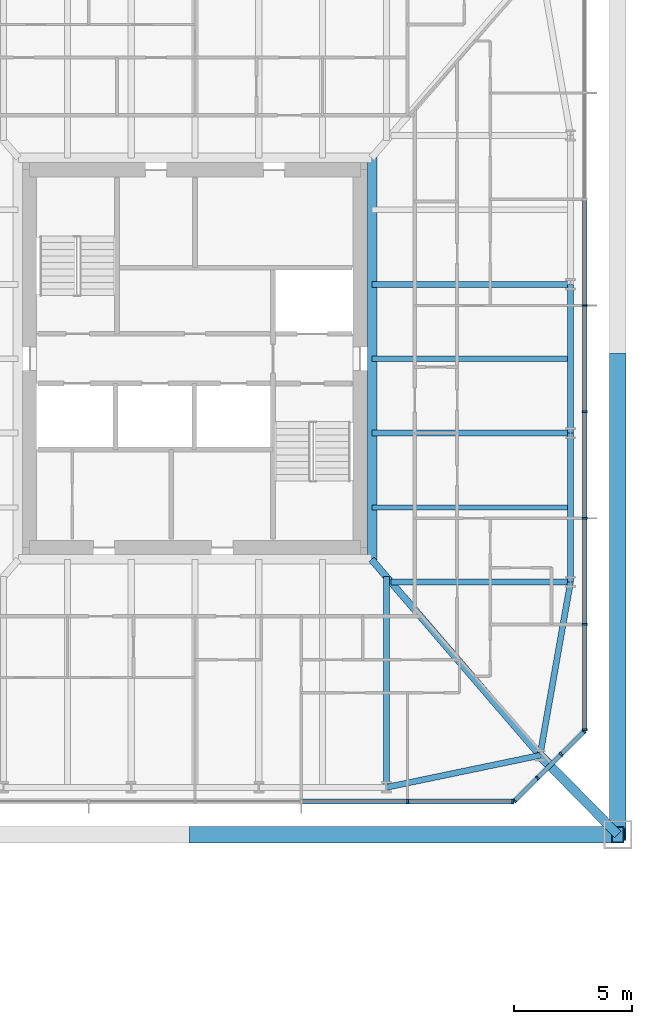
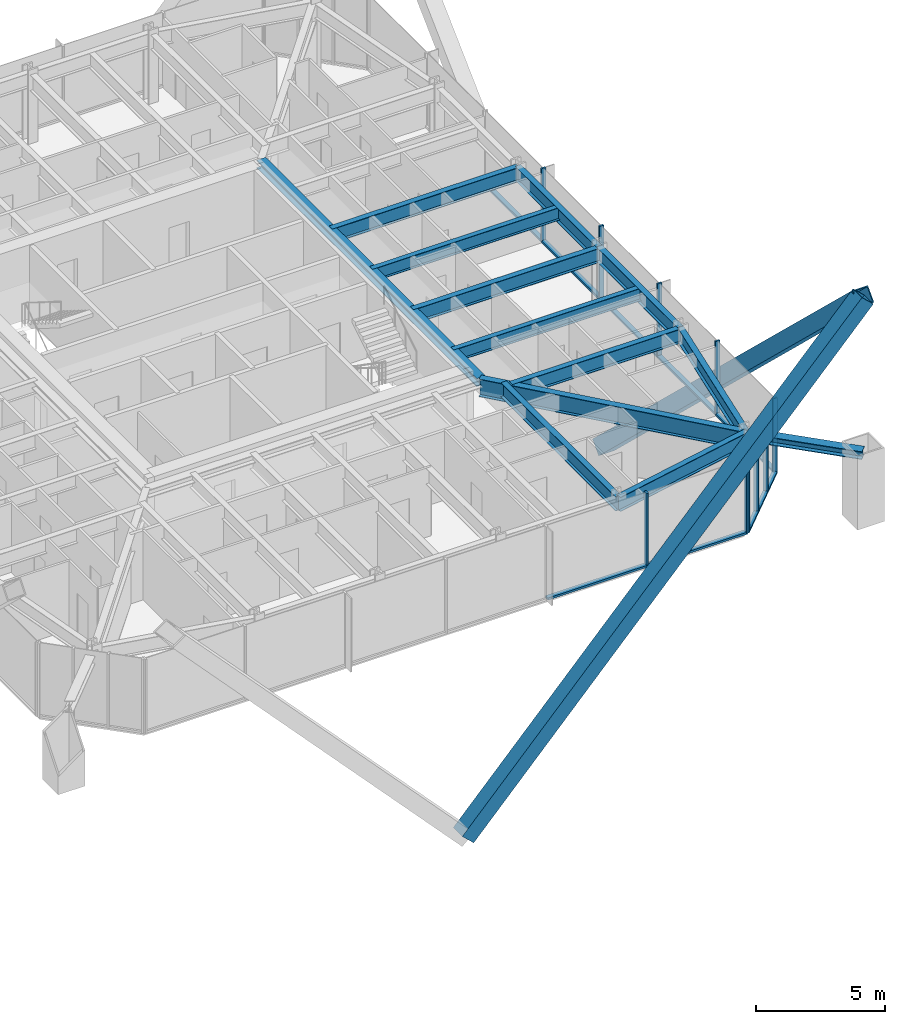
# One storey, part 11 of 28: 24 members, 12 beams, 3 elements without a shape of their own.
"""IFC4 building model written with IfcOpenShell, lengths in metres."""

from ifc_helpers import new_model, si_unit, direction, frame, origin, origin_2d, place, context, subcontext, project, spatial, rectangle, hollow_rectangle, i_section, extrude, material, material_profile, profile_set, type_object, element, aggregate, save


model = new_model("IFC4")

# Units and contexts
model_context = context("Model", 3, precision=1e-05, world=origin(), true_north=direction((0.0, 1.0)))
body_context = subcontext(model_context, "Body", "Model", "MODEL_VIEW")
ifc_project = project(units=[si_unit("LENGTHUNIT", "METRE"), si_unit("AREAUNIT", "SQUARE_METRE"), si_unit("VOLUMEUNIT", "CUBIC_METRE"), si_unit("PLANEANGLEUNIT", "RADIAN"), si_unit("MASSUNIT", "GRAM", prefix="KILO")], contexts=[model_context])

# Site, building, storey
site_placement = place(None, origin())
site = spatial("IfcSite", under=ifc_project, at=site_placement, CompositionType="ELEMENT")
building_placement = place(site_placement, origin())
building = spatial("IfcBuilding", under=site, at=building_placement, Name="Iwan Alto Co-Living Towers", CompositionType="ELEMENT")
storey_placement = place(building_placement, frame((0.0, 0.0, 64.0)))
storey = spatial("IfcBuildingStorey", under=building, at=storey_placement, Name="L17", CompositionType="ELEMENT", Elevation=64.0)

# Curtain wall, members
ifc_material_1 = material(Name="Bronze aluminium unitised frame", Category="aluminium")
curtain_wall_type_1 = type_object("IfcCurtainWallType", Name="CURTAIN WALL CW-C", PredefinedType="NOTDEFINED", material=ifc_material_1)
curtain_wall_1_placement = place(storey_placement, origin())
curtain_wall_1 = element("IfcCurtainWall", 1, at=curtain_wall_1_placement, inside=storey, type_object=curtain_wall_type_1, Name="T2 curtain wall S L17", PredefinedType="NOTDEFINED")
ifc_material_2 = material(Name="Aluminium 6063-T6 bronze anodised", Category="aluminium")
ifc_material_profile_1 = material_profile(ifc_material_2, rectangle(XDim=0.199951171875, YDim=0.080078125, at=origin_2d()), Name="AL 80X200")
ifc_profile_set_1 = profile_set([ifc_material_profile_1], Name="Aluminium 6063-T6 bronze anodised")
member_type_1 = type_object("IfcMemberType", Name="CW-C MULLION 80X200", PredefinedType="MULLION", material=ifc_profile_set_1)
member_1_placement = place(storey_placement, frame((72.0, -18.75, 0.0), z_axis=(0.0, 0.0, 1.0), x_axis=(0.0, 1.0, 0.0)))
member_1 = element("IfcMember", 2, at=member_1_placement, type_object=member_type_1, Name="CW-C mullion 6", PredefinedType="MULLION", context=body_context, shape_type="SweptSolid", body=[
    extrude(rectangle(XDim=0.199951171875, YDim=0.080078125, at=origin_2d()), origin(), (0.0, 0.0, 1.0), 3.5),
])
member_2_placement = place(storey_placement, frame((76.4599609375, -18.75, 0.0), z_axis=(0.0, 0.0, 1.0), x_axis=(0.0, 1.0, 0.0)))
member_2 = element("IfcMember", 3, at=member_2_placement, type_object=member_type_1, Name="CW-C mullion 7", PredefinedType="MULLION", context=body_context, shape_type="SweptSolid", body=[
    extrude(rectangle(XDim=0.199951171875, YDim=0.080078125, at=origin_2d()), origin(), (0.0, 0.0, 1.0), 3.5),
])

curtain_wall_2_placement = place(storey_placement, origin())
curtain_wall_2 = element("IfcCurtainWall", 4, at=curtain_wall_2_placement, inside=storey, type_object=curtain_wall_type_1, Name="T2 curtain wall E L17", PredefinedType="NOTDEFINED")
member_3_placement = place(storey_placement, frame((79.5, -15.7099609375, 0.0), z_axis=(0.0, 0.0, 1.0), x_axis=(-1.0, 0.0, 0.0)))
member_3 = element("IfcMember", 5, at=member_3_placement, type_object=member_type_1, Name="CW-C mullion 1", PredefinedType="MULLION", context=body_context, shape_type="SweptSolid", body=[
    extrude(rectangle(XDim=0.199951171875, YDim=0.080078125, at=origin_2d()), origin(), (0.0, 0.0, 1.0), 3.5),
])
member_4_placement = place(storey_placement, frame((79.5, -11.25, 0.0), z_axis=(0.0, 0.0, 1.0), x_axis=(-1.0, 0.0, 0.0)))
member_4 = element("IfcMember", 6, at=member_4_placement, type_object=member_type_1, Name="CW-C mullion 2", PredefinedType="MULLION", context=body_context, shape_type="SweptSolid", body=[
    extrude(rectangle(XDim=0.199951171875, YDim=0.080078125, at=origin_2d()), origin(), (0.0, 0.0, 1.0), 3.5),
])
member_5_placement = place(storey_placement, frame((79.5, -6.75, 0.0), z_axis=(0.0, 0.0, 1.0), x_axis=(-1.0, 0.0, 0.0)))
member_5 = element("IfcMember", 7, at=member_5_placement, type_object=member_type_1, Name="CW-C mullion 3", PredefinedType="MULLION", context=body_context, shape_type="SweptSolid", body=[
    extrude(rectangle(XDim=0.199951171875, YDim=0.080078125, at=origin_2d()), origin(), (0.0, 0.0, 1.0), 3.5),
])
member_6_placement = place(storey_placement, frame((79.5, -2.25, 0.0), z_axis=(0.0, 0.0, 1.0), x_axis=(-1.0, 0.0, 0.0)))
member_6 = element("IfcMember", 8, at=member_6_placement, type_object=member_type_1, Name="CW-C mullion 4", PredefinedType="MULLION", context=body_context, shape_type="SweptSolid", body=[
    extrude(rectangle(XDim=0.199951171875, YDim=0.080078125, at=origin_2d()), origin(), (0.0, 0.0, 1.0), 3.5),
])
member_7_placement = place(storey_placement, frame((79.5, 2.25, 0.0), z_axis=(0.0, 0.0, 1.0), x_axis=(-1.0, 0.0, 0.0)))
member_7 = element("IfcMember", 9, at=member_7_placement, type_object=member_type_1, Name="CW-C mullion 5", PredefinedType="MULLION", context=body_context, shape_type="SweptSolid", body=[
    extrude(rectangle(XDim=0.199951171875, YDim=0.080078125, at=origin_2d()), origin(), (0.0, 0.0, 1.0), 3.5),
])

# Member
ifc_material_3 = material(Name="Aluminium 6063-T6 bronze anodised", Category="aluminium")
ifc_material_profile_2 = material_profile(ifc_material_3, rectangle(XDim=0.199951171875, YDim=0.10009765625, at=origin_2d()), Name="AL 200X100")
ifc_profile_set_2 = profile_set([ifc_material_profile_2], Name="Aluminium 6063-T6 bronze anodised")
member_type_2 = type_object("IfcMemberType", Name="CW-C TRANSOM 200X100", PredefinedType="USERDEFINED", material=ifc_profile_set_2)
member_8_placement = place(storey_placement, frame((67.5400390625, -18.75, 0.050048828125), z_axis=(1.0, 0.0, 0.0), x_axis=(0.0, 1.0, 0.0)))
member_8 = element("IfcMember", 10, at=member_8_placement, type_object=member_type_2, Name="CW-C transom 5.1", ObjectType="TRANSOM", PredefinedType="USERDEFINED", context=body_context, shape_type="SweptSolid", body=[
    extrude(rectangle(XDim=0.199951171875, YDim=0.10009765625, at=origin_2d()), origin(), (0.0, 0.0, 1.0), 4.419921875),
])

member_9_placement = place(storey_placement, frame((72.0400390625, -18.75, 0.050048828125), z_axis=(1.0, 0.0, 0.0), x_axis=(0.0, 1.0, 0.0)))
member_9 = element("IfcMember", 11, at=member_9_placement, type_object=member_type_2, Name="CW-C transom 6.1", ObjectType="TRANSOM", PredefinedType="USERDEFINED", context=body_context, shape_type="SweptSolid", body=[
    extrude(rectangle(XDim=0.199951171875, YDim=0.10009765625, at=origin_2d()), origin(), (0.0, 0.0, 1.0), 4.3798828125),
])

aggregate(curtain_wall_1, [member_1, member_2, member_8, member_9])

member_10_placement = place(storey_placement, frame((79.5, -15.669921875, 0.050048828125), z_axis=(0.0, 1.0, 0.0), x_axis=(-1.0, 0.0, 0.0)))
member_10 = element("IfcMember", 12, at=member_10_placement, type_object=member_type_2, Name="CW-C transom 1.1", ObjectType="TRANSOM", PredefinedType="USERDEFINED", context=body_context, shape_type="SweptSolid", body=[
    extrude(rectangle(XDim=0.199951171875, YDim=0.10009765625, at=origin_2d()), origin(), (0.0, 0.0, 1.0), 4.3798828125),
])

member_11_placement = place(storey_placement, frame((79.5, -11.2099609375, 0.050048828125), z_axis=(0.0, 1.0, 0.0), x_axis=(-1.0, 0.0, 0.0)))
member_11 = element("IfcMember", 13, at=member_11_placement, type_object=member_type_2, Name="CW-C transom 2.1", ObjectType="TRANSOM", PredefinedType="USERDEFINED", context=body_context, shape_type="SweptSolid", body=[
    extrude(rectangle(XDim=0.199951171875, YDim=0.10009765625, at=origin_2d()), origin(), (0.0, 0.0, 1.0), 4.419921875),
])

member_12_placement = place(storey_placement, frame((79.5, -6.7099609375, 0.050048828125), z_axis=(0.0, 1.0, 0.0), x_axis=(-1.0, 0.0, 0.0)))
member_12 = element("IfcMember", 14, at=member_12_placement, type_object=member_type_2, Name="CW-C transom 3.1", ObjectType="TRANSOM", PredefinedType="USERDEFINED", context=body_context, shape_type="SweptSolid", body=[
    extrude(rectangle(XDim=0.199951171875, YDim=0.10009765625, at=origin_2d()), origin(), (0.0, 0.0, 1.0), 4.419921875),
])

member_13_placement = place(storey_placement, frame((79.5, -2.2099609375, 0.050048828125), z_axis=(0.0, 1.0, 0.0), x_axis=(-1.0, 0.0, 0.0)))
member_13 = element("IfcMember", 15, at=member_13_placement, type_object=member_type_2, Name="CW-C transom 4.1", ObjectType="TRANSOM", PredefinedType="USERDEFINED", context=body_context, shape_type="SweptSolid", body=[
    extrude(rectangle(XDim=0.199951171875, YDim=0.10009765625, at=origin_2d()), origin(), (0.0, 0.0, 1.0), 4.419921875),
])

member_14_placement = place(storey_placement, frame((79.5, 2.2900390625, 0.050048828125), z_axis=(0.0, 1.0, 0.0), x_axis=(-1.0, 0.0, 0.0)))
member_14 = element("IfcMember", 16, at=member_14_placement, type_object=member_type_2, Name="CW-C transom 5.1", ObjectType="TRANSOM", PredefinedType="USERDEFINED", context=body_context, shape_type="SweptSolid", body=[
    extrude(rectangle(XDim=0.199951171875, YDim=0.10009765625, at=origin_2d()), origin(), (0.0, 0.0, 1.0), 4.419921875),
])

aggregate(curtain_wall_2, [member_3, member_4, member_5, member_6, member_7, member_10, member_11, member_12, member_13, member_14])

# Curtain wall, members
ifc_material_4 = material(Name="Bronze aluminium unitised frame", Category="aluminium")
curtain_wall_type_2 = type_object("IfcCurtainWallType", Name="CURTAIN WALL CW-D", PredefinedType="NOTDEFINED", material=ifc_material_4)
curtain_wall_3_placement = place(storey_placement, origin())
curtain_wall_3 = element("IfcCurtainWall", 17, at=curtain_wall_3_placement, inside=storey, type_object=curtain_wall_type_2, Name="T2 chamfer curtain wall SE L17", PredefinedType="NOTDEFINED")
ifc_material_5 = material(Name="Aluminium 6063-T6 bronze anodised", Category="aluminium")
ifc_material_profile_3 = material_profile(ifc_material_5, rectangle(XDim=0.199951171875, YDim=0.080078125, at=origin_2d()), Name="AL 80X200")
ifc_profile_set_3 = profile_set([ifc_material_profile_3], Name="Aluminium 6063-T6 bronze anodised")
member_type_3 = type_object("IfcMemberType", Name="CW-D MULLION 80X200", PredefinedType="MULLION", material=ifc_profile_set_3)
member_15_placement = place(storey_placement, frame((76.5283203125, -18.7216796875, 0.0), z_axis=(0.0, 0.0, 1.0), x_axis=(-0.707106781187, 0.707106781187, 0.0)))
member_15 = element("IfcMember", 18, at=member_15_placement, type_object=member_type_3, Name="CW-D mullion 1", PredefinedType="MULLION", context=body_context, shape_type="SweptSolid", body=[
    extrude(rectangle(XDim=0.199951171875, YDim=0.080078125, at=origin_2d()), origin(), (0.0, 0.0, 1.0), 3.5),
])
member_16_placement = place(storey_placement, frame((77.5, -17.75, 0.0), z_axis=(0.0, 0.0, 1.0), x_axis=(-0.707106781187, 0.707106781187, 0.0)))
member_16 = element("IfcMember", 19, at=member_16_placement, type_object=member_type_3, Name="CW-D mullion 2", PredefinedType="MULLION", context=body_context, shape_type="SweptSolid", body=[
    extrude(rectangle(XDim=0.199951171875, YDim=0.080078125, at=origin_2d()), origin(), (0.0, 0.0, 1.0), 3.5),
])
member_17_placement = place(storey_placement, frame((78.5, -16.75, 0.0), z_axis=(0.0, 0.0, 1.0), x_axis=(-0.707106781187, 0.707106781187, 0.0)))
member_17 = element("IfcMember", 20, at=member_17_placement, type_object=member_type_3, Name="CW-D mullion 3", PredefinedType="MULLION", context=body_context, shape_type="SweptSolid", body=[
    extrude(rectangle(XDim=0.199951171875, YDim=0.080078125, at=origin_2d()), origin(), (0.0, 0.0, 1.0), 3.5),
])
member_18_placement = place(storey_placement, frame((79.4716796875, -15.7783203125, 0.0), z_axis=(0.0, 0.0, 1.0), x_axis=(-0.707106781187, 0.707106781187, 0.0)))
member_18 = element("IfcMember", 21, at=member_18_placement, type_object=member_type_3, Name="CW-D mullion 4", PredefinedType="MULLION", context=body_context, shape_type="SweptSolid", body=[
    extrude(rectangle(XDim=0.199951171875, YDim=0.080078125, at=origin_2d()), origin(), (0.0, 0.0, 1.0), 3.5),
])
ifc_material_6 = material(Name="Aluminium 6063-T6 bronze anodised", Category="aluminium")
ifc_material_profile_4 = material_profile(ifc_material_6, rectangle(XDim=0.199951171875, YDim=0.10009765625, at=origin_2d()), Name="AL 200X100")
ifc_profile_set_4 = profile_set([ifc_material_profile_4], Name="Aluminium 6063-T6 bronze anodised")
member_type_4 = type_object("IfcMemberType", Name="CW-D TRANSOM 200X100", PredefinedType="USERDEFINED", material=ifc_profile_set_4)
member_19_placement = place(storey_placement, frame((76.556640625, -18.693359375, 0.050048828125), z_axis=(0.707106781187, 0.707106781187, 0.0), x_axis=(-0.707106781187, 0.707106781187, 0.0)))
member_19 = element("IfcMember", 22, at=member_19_placement, type_object=member_type_4, Name="CW-D transom 1.1", ObjectType="TRANSOM", PredefinedType="USERDEFINED", context=body_context, shape_type="SweptSolid", body=[
    extrude(rectangle(XDim=0.199951171875, YDim=0.10009765625, at=origin_2d()), origin(), (0.0, 0.0, 1.0), 1.2939453125),
])
member_20_placement = place(storey_placement, frame((77.5283203125, -17.7216796875, 0.050048828125), z_axis=(0.707106781187, 0.707106781187, 0.0), x_axis=(-0.707106781187, 0.707106781187, 0.0)))
member_20 = element("IfcMember", 23, at=member_20_placement, type_object=member_type_4, Name="CW-D transom 2.1", ObjectType="TRANSOM", PredefinedType="USERDEFINED", context=body_context, shape_type="SweptSolid", body=[
    extrude(rectangle(XDim=0.199951171875, YDim=0.10009765625, at=origin_2d()), origin(), (0.0, 0.0, 1.0), 1.334228515625),
])
member_21_placement = place(storey_placement, frame((78.5283203125, -16.7216796875, 0.050048828125), z_axis=(0.707106781187, 0.707106781187, 0.0), x_axis=(-0.707106781187, 0.707106781187, 0.0)))
member_21 = element("IfcMember", 24, at=member_21_placement, type_object=member_type_4, Name="CW-D transom 3.1", ObjectType="TRANSOM", PredefinedType="USERDEFINED", context=body_context, shape_type="SweptSolid", body=[
    extrude(rectangle(XDim=0.199951171875, YDim=0.10009765625, at=origin_2d()), origin(), (0.0, 0.0, 1.0), 1.2939453125),
])
aggregate(curtain_wall_3, [member_15, member_16, member_17, member_18, member_19, member_20, member_21])

# Beams
ifc_material_7 = material(Name="Steel ASTM A992 Gr 50", Category="steel")
ifc_material_profile_5 = material_profile(ifc_material_7, i_section(OverallWidth=0.398681640625, OverallDepth=0.385986328125, WebThickness=0.02099609375, FlangeThickness=0.033203125, at=origin_2d()), Name="W14X176")
ifc_profile_set_5 = profile_set([ifc_material_profile_5], Name="Steel ASTM A992 Gr 50")
beam_type_1 = type_object("IfcBeamType", Name="T2 CORE LEDGER BEAM W14X176", PredefinedType="BEAM", material=ifc_profile_set_5)
beam_1_placement = place(storey_placement, frame((70.49951171875, -8.531982421875, 3.076904296875), z_axis=(0.0, 1.0, 0.0), x_axis=(-1.0, 0.0, 0.0)))
element("IfcBeam", 25, at=beam_1_placement, inside=storey, type_object=beam_type_1, Name="T2 core ledger beam E L18", PredefinedType="BEAM", context=body_context, shape_type="SweptSolid", body=[
    extrude(i_section(OverallWidth=0.398681640625, OverallDepth=0.385986328125, WebThickness=0.02099609375, FlangeThickness=0.033203125, at=origin_2d()), origin(), (0.0, 0.0, 1.0), 17.06396484375),
])
ifc_material_8 = material(Name="Steel ASTM A992 Gr 50", Category="steel")
ifc_material_profile_6 = material_profile(ifc_material_8, i_section(OverallWidth=0.2919921875, OverallDepth=0.8408203125, WebThickness=0.0146484375, FlangeThickness=0.021728515625, at=origin_2d()), Name="W33X130")
ifc_profile_set_6 = profile_set([ifc_material_profile_6], Name="Steel ASTM A992 Gr 50")
beam_type_2 = type_object("IfcBeamType", Name="T2 CORNER GIRDER W33X130", PredefinedType="BEAM", material=ifc_profile_set_6)
beam_2_placement = place(storey_placement, frame((77.606201171875, -16.797119140625, 2.849609375), z_axis=(-0.651977452133, 0.758238354286, 0.0), x_axis=(-0.758238354286, -0.651977452133, 0.0)))
element("IfcBeam", 26, at=beam_2_placement, inside=storey, type_object=beam_type_2, Name="T2 corner girder CSE L18", PredefinedType="BEAM", context=body_context, shape_type="SweptSolid", body=[
    extrude(i_section(OverallWidth=0.2919921875, OverallDepth=0.8408203125, WebThickness=0.0146484375, FlangeThickness=0.021728515625, at=origin_2d()), origin(), (0.0, 0.0, 1.0), 10.943359375),
])
ifc_material_9 = material(Name="Steel ASTM A992 Gr 50", Category="steel")
ifc_material_profile_7 = material_profile(ifc_material_9, i_section(OverallWidth=0.25390625, OverallDepth=0.683349609375, WebThickness=0.012451171875, FlangeThickness=0.018798828125, at=origin_2d()), Name="W27X94")
ifc_profile_set_7 = profile_set([ifc_material_profile_7], Name="Steel ASTM A992 Gr 50")
beam_type_3 = type_object("IfcBeamType", Name="T2 EDGE BEAM W27X94", PredefinedType="BEAM", material=ifc_profile_set_7)
beam_3_placement = place(storey_placement, frame((71.10009765625, -18.14990234375, 2.928466796875), z_axis=(0.979060119423, 0.203571320564, 0.0), x_axis=(-0.203571320564, 0.979060119423, 0.0)))
element("IfcBeam", 27, at=beam_3_placement, inside=storey, type_object=beam_type_3, Name="T2 edge beam S4 L18", PredefinedType="BEAM", context=body_context, shape_type="SweptSolid", body=[
    extrude(i_section(OverallWidth=0.25390625, OverallDepth=0.683349609375, WebThickness=0.012451171875, FlangeThickness=0.018798828125, at=origin_2d()), origin(), (0.0, 0.0, 1.0), 6.645263671875),
])
beam_4_placement = place(storey_placement, frame((77.606201171875, -16.797119140625, 2.928466796875), z_axis=(0.173413807283, 0.98484905008, 0.0), x_axis=(-0.98484905008, 0.173413807283, 0.0)))
element("IfcBeam", 28, at=beam_4_placement, inside=storey, type_object=beam_type_3, Name="T2 edge beam CSE L18", PredefinedType="BEAM", context=body_context, shape_type="SweptSolid", body=[
    extrude(i_section(OverallWidth=0.25390625, OverallDepth=0.683349609375, WebThickness=0.012451171875, FlangeThickness=0.018798828125, at=origin_2d()), origin(), (0.0, 0.0, 1.0), 7.460205078125),
])
beam_5_placement = place(storey_placement, frame((78.89990234375, -9.449951171875, 2.928466796875), z_axis=(0.0, 1.0, 0.0), x_axis=(-1.0, 0.0, 0.0)))
element("IfcBeam", 29, at=beam_5_placement, inside=storey, type_object=beam_type_3, Name="T2 edge beam E1 L18", PredefinedType="BEAM", context=body_context, shape_type="SweptSolid", body=[
    extrude(i_section(OverallWidth=0.25390625, OverallDepth=0.683349609375, WebThickness=0.012451171875, FlangeThickness=0.018798828125, at=origin_2d()), origin(), (0.0, 0.0, 1.0), 6.300048828125),
])
beam_6_placement = place(storey_placement, frame((78.89990234375, -3.14990234375, 2.928466796875), z_axis=(0.0, 1.0, 0.0), x_axis=(-1.0, 0.0, 0.0)))
element("IfcBeam", 30, at=beam_6_placement, inside=storey, type_object=beam_type_3, Name="T2 edge beam E2 L18", PredefinedType="BEAM", context=body_context, shape_type="SweptSolid", body=[
    extrude(i_section(OverallWidth=0.25390625, OverallDepth=0.683349609375, WebThickness=0.012451171875, FlangeThickness=0.018798828125, at=origin_2d()), origin(), (0.0, 0.0, 1.0), 6.2998046875),
])

# Members
ifc_material_10 = material(Name="Steel ASTM A572 Gr 50", Category="steel")
ifc_material_profile_8 = material_profile(ifc_material_10, hollow_rectangle(XDim=0.699951171875, YDim=0.699951171875, WallThickness=0.044921875, at=origin_2d()), Name="BOX 700X700X45")
ifc_profile_set_8 = profile_set([ifc_material_profile_8], Name="Steel ASTM A572 Gr 50")
member_type_5 = type_object("IfcMemberType", Name="T2 MEGA BRACE BOX 700X700X45", PredefinedType="BRACE", material=ifc_profile_set_8)
member_22_placement = place(storey_placement, frame((63.0, -20.14990234375, -8.75), z_axis=(0.680959649938, 0.0, 0.732320937264), x_axis=(0.0, 1.0, 0.0)))
element("IfcMember", 31, at=member_22_placement, inside=storey, type_object=member_type_5, Name="T2 mega brace Z1B S 1 upper", PredefinedType="BRACE", context=body_context, shape_type="SweptSolid", body=[
    extrude(hollow_rectangle(XDim=0.699951171875, YDim=0.699951171875, WallThickness=0.044921875, at=origin_2d()), origin(), (0.0, 0.0, 1.0), 26.286376953125),
])
member_23_placement = place(storey_placement, frame((80.89990234375, 0.0, -8.75), z_axis=(0.0, -0.72306867492, 0.690776151405), x_axis=(1.0, 0.0, 0.0)))
element("IfcMember", 32, at=member_23_placement, inside=storey, type_object=member_type_5, Name="T2 mega brace Z1B E 2 upper", PredefinedType="BRACE", context=body_context, shape_type="SweptSolid", body=[
    extrude(hollow_rectangle(XDim=0.699951171875, YDim=0.699951171875, WallThickness=0.044921875, at=origin_2d()), origin(), (0.0, 0.0, 1.0), 27.8671875),
])
ifc_material_11 = material(Name="Steel ASTM A992 Gr 50", Category="steel")
ifc_material_profile_9 = material_profile(ifc_material_11, i_section(OverallWidth=0.393798828125, OverallDepth=0.3759765625, WebThickness=0.017333984375, FlangeThickness=0.027587890625, at=origin_2d()), Name="W14X145")
ifc_profile_set_9 = profile_set([ifc_material_profile_9], Name="Steel ASTM A992 Gr 50")
member_type_6 = type_object("IfcMemberType", Name="T2 MEGA COLUMN FLOOR TIE W14X145", PredefinedType="STRUT", material=ifc_profile_set_9)
member_24_placement = place(storey_placement, frame((80.89990234375, -20.14990234375, 3.08203125), z_axis=(-0.700793469544, 0.71336422187, 0.0), x_axis=(-0.71336422187, -0.700793469544, 0.0)))
element("IfcMember", 33, at=member_24_placement, inside=storey, type_object=member_type_6, Name="T2 mega column floor tie SE L18", PredefinedType="STRUT", context=body_context, shape_type="SweptSolid", body=[
    extrude(i_section(OverallWidth=0.393798828125, OverallDepth=0.3759765625, WebThickness=0.017333984375, FlangeThickness=0.027587890625, at=origin_2d()), origin(), (0.0, 0.0, 1.0), 4.699951171875),
])

# Beams
ifc_material_12 = material(Name="Steel ASTM A992 Gr 50", Category="steel")
ifc_material_profile_10 = material_profile(ifc_material_12, i_section(OverallWidth=0.25390625, OverallDepth=0.683349609375, WebThickness=0.012451171875, FlangeThickness=0.018798828125, at=origin_2d()), Name="W27X94")
ifc_profile_set_10 = profile_set([ifc_material_profile_10], Name="Steel ASTM A992 Gr 50")
beam_type_4 = type_object("IfcBeamType", Name="T2 RADIAL BEAM W27X94", PredefinedType="BEAM", material=ifc_profile_set_10)
beam_7_placement = place(storey_placement, frame((71.10009765625, -18.14990234375, 2.928466796875), z_axis=(0.0, 1.0, 0.0), x_axis=(-1.0, 0.0, 0.0)))
element("IfcBeam", 34, at=beam_7_placement, inside=storey, type_object=beam_type_4, Name="T2 radial beam S4 L18", PredefinedType="BEAM", context=body_context, shape_type="SweptSolid", body=[
    extrude(i_section(OverallWidth=0.25390625, OverallDepth=0.683349609375, WebThickness=0.012451171875, FlangeThickness=0.018798828125, at=origin_2d()), origin(), (0.0, 0.0, 1.0), 8.91943359375),
])
beam_8_placement = place(storey_placement, frame((78.89990234375, -9.449951171875, 2.928466796875), z_axis=(-1.0, 0.0, 0.0), x_axis=(0.0, -1.0, 0.0)))
element("IfcBeam", 35, at=beam_8_placement, inside=storey, type_object=beam_type_4, Name="T2 radial beam E1 L18", PredefinedType="BEAM", context=body_context, shape_type="SweptSolid", body=[
    extrude(i_section(OverallWidth=0.25390625, OverallDepth=0.683349609375, WebThickness=0.012451171875, FlangeThickness=0.018798828125, at=origin_2d()), origin(), (0.0, 0.0, 1.0), 7.611083984375),
])
for number, where, z_axis, x_axis, name in (
    (36, (78.89990234375, -3.14990234375, 2.928466796875), (-1.0, 0.0, 0.0), (0.0, -1.0, 0.0), "T2 radial beam E2 L18"),
    (37, (78.89990234375, 3.14990234375, 2.928466796875), (-1.0, 0.0, 0.0), (0.0, -1.0, 0.0), "T2 radial beam E3 L18"),
):
    element("IfcBeam", number, at=place(storey_placement, frame(where, z_axis=z_axis, x_axis=x_axis)), inside=storey, type_object=beam_type_4, Name=name, PredefinedType="BEAM", context=body_context, shape_type="SweptSolid", body=[
        extrude(i_section(OverallWidth=0.25390625, OverallDepth=0.683349609375, WebThickness=0.012451171875, FlangeThickness=0.018798828125, at=origin_2d()), origin(), (0.0, 0.0, 1.0), 8.400390625),
    ])
ifc_material_13 = material(Name="Steel ASTM A992 Gr 50", Category="steel")
ifc_material_profile_11 = material_profile(ifc_material_13, i_section(OverallWidth=0.228271484375, OverallDepth=0.607177734375, WebThickness=0.01123046875, FlangeThickness=0.017333984375, at=origin_2d()), Name="W24X76")
ifc_profile_set_11 = profile_set([ifc_material_profile_11], Name="Steel ASTM A992 Gr 50")
beam_type_5 = type_object("IfcBeamType", Name="T2 SECONDARY BEAM W24X76", PredefinedType="JOIST", material=ifc_profile_set_11)
for number, where, z_axis, x_axis, name in (
    (38, (78.89990234375, -6.300048828125, 2.966552734375), (-1.0, 0.0, 0.0), (0.0, -1.0, 0.0), "T2 secondary beam E1 L18"),
    (39, (78.89990234375, 0.0, 2.966552734375), (-1.0, 0.0, 0.0), (0.0, -1.0, 0.0), "T2 secondary beam E2 L18"),
):
    element("IfcBeam", number, at=place(storey_placement, frame(where, z_axis=z_axis, x_axis=x_axis)), inside=storey, type_object=beam_type_5, Name=name, PredefinedType="JOIST", context=body_context, shape_type="SweptSolid", body=[
        extrude(i_section(OverallWidth=0.228271484375, OverallDepth=0.607177734375, WebThickness=0.01123046875, FlangeThickness=0.017333984375, at=origin_2d()), origin(), (0.0, 0.0, 1.0), 8.400390625),
    ])

save(model, "model.ifc")
